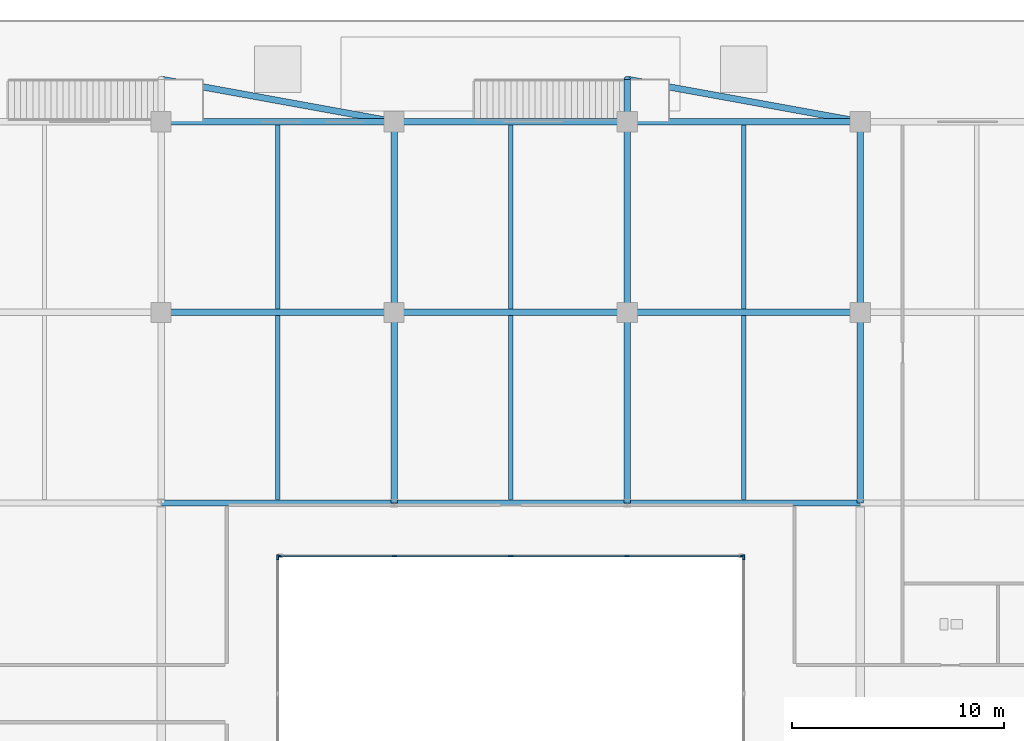
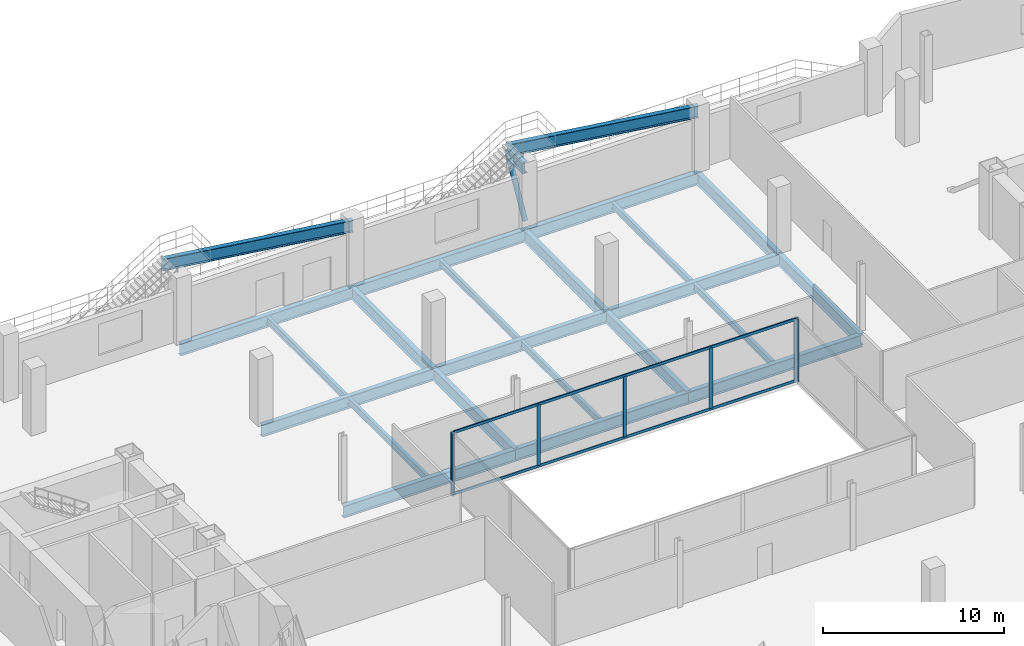
# One storey, part 12 of 25: 24 beams, 10 members, 3 elements without a shape of their own.
"""IFC4 building model written with IfcOpenShell, lengths in metres."""

from ifc_helpers import new_model, si_unit, direction, frame, origin, origin_2d, place, context, subcontext, project, spatial, rectangle, hollow_circle, i_section, extrude, source, transform, mapped, material, layer, layer_set, material_profile, profile_set, type_object, type_shapes, element, aggregate, save


model = new_model("IFC4")

# Units and contexts
model_context = context("Model", 3, precision=1e-05, world=origin(), true_north=direction((0.0, 1.0)))
body_context = subcontext(model_context, "Body", "Model", "MODEL_VIEW")
ifc_project = project(units=[si_unit("LENGTHUNIT", "METRE"), si_unit("AREAUNIT", "SQUARE_METRE"), si_unit("VOLUMEUNIT", "CUBIC_METRE"), si_unit("PLANEANGLEUNIT", "RADIAN"), si_unit("MASSUNIT", "GRAM", prefix="KILO")], contexts=[model_context])

# Site, building, storey
site_placement = place(None, origin())
site = spatial("IfcSite", under=ifc_project, at=site_placement, CompositionType="ELEMENT")
building_placement = place(site_placement, origin())
building = spatial("IfcBuilding", under=site, at=building_placement, Name="Seokmaru Belvedere", CompositionType="ELEMENT")
storey_placement = place(building_placement, frame((0.0, 0.0, 5.39990234375)))
storey = spatial("IfcBuildingStorey", under=building, at=storey_placement, Name="L01", CompositionType="ELEMENT", Elevation=5.39990234375)

# Beams
ifc_material_1 = material(Name="Steel SM355 (355 MPa)", Category="steel")
ifc_material_profile_1 = material_profile(ifc_material_1, i_section(OverallWidth=0.300048828125, OverallDepth=0.800048828125, WebThickness=0.013916015625, FlangeThickness=0.02587890625, at=origin_2d()), Name="H-800x300x14x26")
ifc_profile_set_1 = profile_set([ifc_material_profile_1], Name="Steel SM355 (355 MPa)")
beam_type_1 = type_object("IfcBeamType", Name="Podium Primary Girder H-800", PredefinedType="BEAM", material=ifc_profile_set_1)
shared_shape_1 = source(origin(), body_context, "Body", "SweptSolid", [
    extrude(i_section(OverallWidth=0.300048828125, OverallDepth=0.800048828125, WebThickness=0.013916015625, FlangeThickness=0.02587890625, at=origin_2d()), origin(), (0.0, 0.0, 1.0), 9.0),
])
for number, where, z_axis, x_axis, name in (
    (1, (-5.5, 9.0, -0.679931640625), (0.0, 1.0, 0.0), (-1.0, 0.0, 0.0), "L01 Central Podium Transverse Girder 2-4"),
    (2, (-5.5, 18.0, -0.679931640625), (0.0, 1.0, 0.0), (-1.0, 0.0, 0.0), "L01 Central Podium Transverse Girder 2-5"),
    (3, (5.5, 9.0, -0.679931640625), (0.0, 1.0, 0.0), (-1.0, 0.0, 0.0), "L01 Central Podium Transverse Girder 3-4"),
    (4, (5.5, 18.0, -0.679931640625), (0.0, 1.0, 0.0), (-1.0, 0.0, 0.0), "L01 Central Podium Transverse Girder 3-5"),
    (5, (16.5, 9.0, -0.679931640625), (0.0, 1.0, 0.0), (-1.0, 0.0, 0.0), "L01 Central Podium Transverse Girder 4-4"),
    (6, (16.5, 18.0, -0.679931640625), (0.0, 1.0, 0.0), (-1.0, 0.0, 0.0), "L01 Central Podium Transverse Girder 4-5"),
):
    element("IfcBeam", number, at=place(storey_placement, frame(where, z_axis=z_axis, x_axis=x_axis)), inside=storey, type_object=beam_type_1, Name=name, PredefinedType="BEAM", context=body_context, shape_type="MappedRepresentation", body=[
        mapped(shared_shape_1, transform((0.0, 0.0, 0.0), scale=1.0)),
    ])
ifc_material_profile_2 = material_profile(ifc_material_1, i_section(OverallWidth=0.199951171875, OverallDepth=0.449951171875, WebThickness=0.009033203125, FlangeThickness=0.013916015625, at=origin_2d()), Name="H-450x200x9x14")
ifc_profile_set_2 = profile_set([ifc_material_profile_2], Name="Steel SM355 (355 MPa)")
beam_type_2 = type_object("IfcBeamType", Name="Podium Secondary Joist H-450", PredefinedType="JOIST", material=ifc_profile_set_2)
shared_shape_2 = source(origin(), body_context, "Body", "SweptSolid", [
    extrude(i_section(OverallWidth=0.199951171875, OverallDepth=0.449951171875, WebThickness=0.009033203125, FlangeThickness=0.013916015625, at=origin_2d()), origin(), (0.0, 0.0, 1.0), 8.68994140625),
])
type_shapes(beam_type_2, [shared_shape_2])
for number, where, z_axis, x_axis, name in (
    (7, (-11.0, 9.155029296875, -0.5048828125), (0.0, 1.0, 0.0), (-1.0, 0.0, 0.0), "L01 Central Podium Secondary Joist 2-3"),
    (8, (-11.0, 18.155029296875, -0.5048828125), (0.0, 1.0, 0.0), (-1.0, 0.0, 0.0), "L01 Central Podium Secondary Joist 2-4"),
    (9, (0.0, 9.155029296875, -0.5048828125), (0.0, 1.0, 0.0), (-1.0, 0.0, 0.0), "L01 Central Podium Secondary Joist 3-3"),
    (10, (0.0, 18.155029296875, -0.5048828125), (0.0, 1.0, 0.0), (-1.0, 0.0, 0.0), "L01 Central Podium Secondary Joist 3-4"),
    (11, (11.0, 9.155029296875, -0.5048828125), (0.0, 1.0, 0.0), (-1.0, 0.0, 0.0), "L01 Central Podium Secondary Joist 4-3"),
    (12, (11.0, 18.155029296875, -0.5048828125), (0.0, 1.0, 0.0), (-1.0, 0.0, 0.0), "L01 Central Podium Secondary Joist 4-4"),
):
    element("IfcBeam", number, at=place(storey_placement, frame(where, z_axis=z_axis, x_axis=x_axis)), inside=storey, type_object=beam_type_2, Name=name, PredefinedType="JOIST", context=body_context, shape_type="MappedRepresentation", body=[
        mapped(shared_shape_2, transform((0.0, 0.0, 0.0), scale=1.0)),
    ])
shared_shape_3 = source(origin(), body_context, "Body", "SweptSolid", [
    extrude(i_section(OverallWidth=0.300048828125, OverallDepth=0.800048828125, WebThickness=0.013916015625, FlangeThickness=0.02587890625, at=origin_2d()), origin(), (0.0, 0.0, 1.0), 11.0),
])
for number, where, z_axis, x_axis, name in (
    (13, (-16.5, 9.0, -0.679931640625), (1.0, 0.0, 0.0), (0.0, 1.0, 0.0), "L01 Central Podium Girder 4-2"),
    (14, (-5.5, 9.0, -0.679931640625), (1.0, 0.0, 0.0), (0.0, 1.0, 0.0), "L01 Central Podium Girder 4-3"),
    (15, (5.5, 9.0, -0.679931640625), (1.0, 0.0, 0.0), (0.0, 1.0, 0.0), "L01 Central Podium Girder 4-4"),
    (16, (-16.5, 18.0, -0.679931640625), (1.0, 0.0, 0.0), (0.0, 1.0, 0.0), "L01 Central Podium Girder 5-2"),
    (17, (-5.5, 18.0, -0.679931640625), (1.0, 0.0, 0.0), (0.0, 1.0, 0.0), "L01 Central Podium Girder 5-3"),
    (18, (5.5, 18.0, -0.679931640625), (1.0, 0.0, 0.0), (0.0, 1.0, 0.0), "L01 Central Podium Girder 5-4"),
    (19, (-16.5, 27.0, -0.679931640625), (1.0, 0.0, 0.0), (0.0, 1.0, 0.0), "L01 Central Podium Girder 6-2"),
    (20, (-5.5, 27.0, -0.679931640625), (1.0, 0.0, 0.0), (0.0, 1.0, 0.0), "L01 Central Podium Girder 6-3"),
    (21, (5.5, 27.0, -0.679931640625), (1.0, 0.0, 0.0), (0.0, 1.0, 0.0), "L01 Central Podium Girder 6-4"),
):
    element("IfcBeam", number, at=place(storey_placement, frame(where, z_axis=z_axis, x_axis=x_axis)), inside=storey, type_object=beam_type_1, Name=name, PredefinedType="BEAM", context=body_context, shape_type="MappedRepresentation", body=[
        mapped(shared_shape_3, transform((0.0, 0.0, 0.0), scale=1.0)),
    ])

# Curtain wall, members
ifc_material_2 = material(Name="Bronze Triple Insulating Glass", Category="glass")
ifc_layer = layer(ifc_material_2, 0.219970703125)
ifc_layer_set = layer_set([ifc_layer], Name="Bronze Triple Insulating Glass")
curtain_wall_type = type_object("IfcCurtainWallType", Name="Podium Concourse Curtain Wall System CW-1", PredefinedType="NOTDEFINED", material=ifc_layer_set)
curtain_wall_1_placement = place(storey_placement, origin())
curtain_wall_1 = element("IfcCurtainWall", 22, at=curtain_wall_1_placement, inside=storey, type_object=curtain_wall_type, Name="L01 Curtain Wall AT_N", PredefinedType="NOTDEFINED")
ifc_material_3 = material(Name="Anodised Bronze Aluminium", Category="aluminium")
ifc_material_profile_3 = material_profile(ifc_material_3, rectangle(XDim=0.080078125, YDim=0.219970703125, at=origin_2d()), Name="CW-M-80x220")
ifc_profile_set_3 = profile_set([ifc_material_profile_3], Name="Anodised Bronze Aluminium")
member_type_1 = type_object("IfcMemberType", Name="Bronze Unitised Mullion 80x220", PredefinedType="MULLION", material=ifc_profile_set_3)
shared_shape_4 = source(origin(), body_context, "Body", "SweptSolid", [
    extrude(rectangle(XDim=0.080078125, YDim=0.219970703125, at=origin_2d()), origin(), (0.0, 0.0, 1.0), 4.22021484375),
])
member_1_placement = place(storey_placement, frame((10.93994140625, 6.5, 0.0), z_axis=(0.0, 0.0, 1.0), x_axis=(0.0, -1.0, 0.0)))
member_1 = element("IfcMember", 23, at=member_1_placement, type_object=member_type_1, Name="CW:L01:AT_N Mullion 1", PredefinedType="MULLION", context=body_context, shape_type="MappedRepresentation", body=[
    mapped(shared_shape_4, transform((0.0, 0.0, 0.0), scale=1.0)),
])
member_2_placement = place(storey_placement, frame((-10.93994140625, 6.5, 0.0), z_axis=(0.0, 0.0, 1.0), x_axis=(0.0, -1.0, 0.0)))
member_2 = element("IfcMember", 24, at=member_2_placement, type_object=member_type_1, Name="CW:L01:AT_N Mullion 5", PredefinedType="MULLION", context=body_context, shape_type="MappedRepresentation", body=[
    mapped(shared_shape_4, transform((0.0, 0.0, 0.0), scale=1.0)),
])

# Curtain wall, member
curtain_wall_2_placement = place(storey_placement, origin())
curtain_wall_2 = element("IfcCurtainWall", 25, at=curtain_wall_2_placement, inside=storey, type_object=curtain_wall_type, Name="L01 Curtain Wall AT_E", PredefinedType="NOTDEFINED")
member_3_placement = place(storey_placement, frame((11.0, 6.43994140625, 0.0), z_axis=(0.0, 0.0, 1.0), x_axis=(-1.0, 0.0, 0.0)))
member_3 = element("IfcMember", 26, at=member_3_placement, type_object=member_type_1, Name="CW:L01:AT_E Mullion 3", PredefinedType="MULLION", context=body_context, shape_type="MappedRepresentation", body=[
    mapped(shared_shape_4, transform((0.0, 0.0, 0.0), scale=1.0)),
])
aggregate(curtain_wall_2, [member_3])

curtain_wall_3_placement = place(storey_placement, origin())
curtain_wall_3 = element("IfcCurtainWall", 27, at=curtain_wall_3_placement, inside=storey, type_object=curtain_wall_type, Name="L01 Curtain Wall AT_W", PredefinedType="NOTDEFINED")
member_4_placement = place(storey_placement, frame((-11.0, 6.43994140625, 0.0), z_axis=(0.0, 0.0, 1.0), x_axis=(1.0, 0.0, 0.0)))
member_4 = element("IfcMember", 28, at=member_4_placement, type_object=member_type_1, Name="CW:L01:AT_W Mullion 1", PredefinedType="MULLION", context=body_context, shape_type="MappedRepresentation", body=[
    mapped(shared_shape_4, transform((0.0, 0.0, 0.0), scale=1.0)),
])
aggregate(curtain_wall_3, [member_4])

# Member
shared_shape_5 = source(origin(), body_context, "Body", "SweptSolid", [
    extrude(rectangle(XDim=0.080078125, YDim=0.219970703125, at=origin_2d()), origin(), (0.0, 0.0, 1.0), 4.06982421875),
])
type_shapes(member_type_1, [shared_shape_4, shared_shape_5])
member_5_placement = place(storey_placement, frame((5.489990234375, 6.5, 0.0751953125), z_axis=(0.0, 0.0, 1.0), x_axis=(0.0, -1.0, 0.0)))
member_5 = element("IfcMember", 29, at=member_5_placement, type_object=member_type_1, Name="CW:L01:AT_N Mullion 2", PredefinedType="MULLION", context=body_context, shape_type="MappedRepresentation", body=[
    mapped(shared_shape_5, transform((0.0, 0.0, 0.0), scale=1.0)),
])

member_6_placement = place(storey_placement, frame((0.0, 6.5, 0.0751953125), z_axis=(0.0, 0.0, 1.0), x_axis=(0.0, -1.0, 0.0)))
member_6 = element("IfcMember", 30, at=member_6_placement, type_object=member_type_1, Name="CW:L01:AT_N Mullion 3", PredefinedType="MULLION", context=body_context, shape_type="MappedRepresentation", body=[
    mapped(shared_shape_5, transform((0.0, 0.0, 0.0), scale=1.0)),
])

member_7_placement = place(storey_placement, frame((-5.489990234375, 6.5, 0.0751953125), z_axis=(0.0, 0.0, 1.0), x_axis=(0.0, -1.0, 0.0)))
member_7 = element("IfcMember", 31, at=member_7_placement, type_object=member_type_1, Name="CW:L01:AT_N Mullion 4", PredefinedType="MULLION", context=body_context, shape_type="MappedRepresentation", body=[
    mapped(shared_shape_5, transform((0.0, 0.0, 0.0), scale=1.0)),
])

ifc_material_profile_4 = material_profile(ifc_material_3, rectangle(XDim=0.074951171875, YDim=0.179931640625, at=origin_2d()), Name="CW-T-75x180")
ifc_profile_set_4 = profile_set([ifc_material_profile_4], Name="Anodised Bronze Aluminium")
member_type_2 = type_object("IfcMemberType", Name="Bronze Unitised Transom 75x180", PredefinedType="USERDEFINED", material=ifc_profile_set_4)
shared_shape_6 = source(origin(), body_context, "Body", "SweptSolid", [
    extrude(rectangle(XDim=0.074951171875, YDim=0.179931640625, at=origin_2d()), origin(), (0.0, 0.0, 1.0), 21.7998046875),
])
type_shapes(member_type_2, [shared_shape_6])
member_8_placement = place(storey_placement, frame((10.89990234375, 6.5, 0.03759765625), z_axis=(-1.0, 0.0, 0.0), x_axis=(0.0, -1.0, 0.0)))
member_8 = element("IfcMember", 32, at=member_8_placement, type_object=member_type_2, Name="CW:L01:AT_N Continuous Transom 1", ObjectType="TRANSOM", PredefinedType="USERDEFINED", context=body_context, shape_type="MappedRepresentation", body=[
    mapped(shared_shape_6, transform((0.0, 0.0, 0.0), scale=1.0)),
])

member_9_placement = place(storey_placement, frame((10.89990234375, 6.5, 4.1826171875), z_axis=(-1.0, 0.0, 0.0), x_axis=(0.0, -1.0, 0.0)))
member_9 = element("IfcMember", 33, at=member_9_placement, type_object=member_type_2, Name="CW:L01:AT_N Continuous Transom 2", ObjectType="TRANSOM", PredefinedType="USERDEFINED", context=body_context, shape_type="MappedRepresentation", body=[
    mapped(shared_shape_6, transform((0.0, 0.0, 0.0), scale=1.0)),
])

aggregate(curtain_wall_1, [member_1, member_5, member_6, member_7, member_2, member_8, member_9])

# Beams
shared_shape_7 = source(origin(), body_context, "Body", "SweptSolid", [
    extrude(i_section(OverallWidth=0.300048828125, OverallDepth=0.800048828125, WebThickness=0.013916015625, FlangeThickness=0.02587890625, at=origin_2d()), origin(), (0.0, 0.0, 1.0), 2.0),
])
beam_placement = place(storey_placement, frame((5.5, 27.0, 3.820068359375), z_axis=(0.0, 1.0, 0.0), x_axis=(-1.0, 0.0, 0.0)))
element("IfcBeam", 34, at=beam_placement, inside=storey, type_object=beam_type_1, Name="L01 Terrace Stair Bracket Girder N2", PredefinedType="BEAM", context=body_context, shape_type="MappedRepresentation", body=[
    mapped(shared_shape_7, transform((0.0, 0.0, 0.0), scale=1.0)),
])
shared_shape_8 = source(origin(), body_context, "Body", "SweptSolid", [
    extrude(i_section(OverallWidth=0.300048828125, OverallDepth=0.800048828125, WebThickness=0.013916015625, FlangeThickness=0.02587890625, at=origin_2d()), origin(), (0.0, 0.0, 1.0), 11.180419921875),
])
type_shapes(beam_type_1, [shared_shape_1, shared_shape_3, shared_shape_7, shared_shape_8])
for number, where, z_axis, x_axis, name in (
    (35, (-16.5, 29.0, 3.820068359375), (0.9838699101, -0.1788854382, 0.0), (0.1788854382, 0.9838699101, 0.0), "L01 Terrace Stair Diagonal Support Girder N1"),
    (36, (5.5, 29.0, 3.820068359375), (0.9838699101, -0.1788854382, 0.0), (0.1788854382, 0.9838699101, 0.0), "L01 Terrace Stair Diagonal Support Girder N2"),
):
    element("IfcBeam", number, at=place(storey_placement, frame(where, z_axis=z_axis, x_axis=x_axis)), inside=storey, type_object=beam_type_1, Name=name, PredefinedType="BEAM", context=body_context, shape_type="MappedRepresentation", body=[
        mapped(shared_shape_8, transform((0.0, 0.0, 0.0), scale=1.0)),
    ])

# Member
ifc_material_profile_5 = material_profile(ifc_material_1, hollow_circle(Radius=0.1591796875, WallThickness=0.01025390625, at=origin_2d()), Name="CHS-318.5x10.3")
ifc_profile_set_5 = profile_set([ifc_material_profile_5], Name="Steel SM355 (355 MPa)")
member_type_3 = type_object("IfcMemberType", Name="Podium Portal Wind Brace CHS-318", PredefinedType="BRACE", material=ifc_profile_set_5)
shared_shape_9 = source(origin(), body_context, "Body", "SweptSolid", [
    extrude(hollow_circle(Radius=0.1591796875, WallThickness=0.01025390625, at=origin_2d()), origin(), (0.0, 0.0, 1.0), 4.092041015625),
])
type_shapes(member_type_3, [shared_shape_9])
member_10_placement = place(storey_placement, frame((5.5, 27.0, 0.25), z_axis=(0.0, 0.488745067071, 0.872426649876), x_axis=(-1.0, 0.0, 0.0)))
element("IfcMember", 37, at=member_10_placement, inside=storey, type_object=member_type_3, Name="L01 Terrace Stair Knee Brace N2", PredefinedType="BRACE", context=body_context, shape_type="MappedRepresentation", body=[
    mapped(shared_shape_9, transform((0.0, 0.0, 0.0), scale=1.0)),
])

save(model, "model.ifc")
